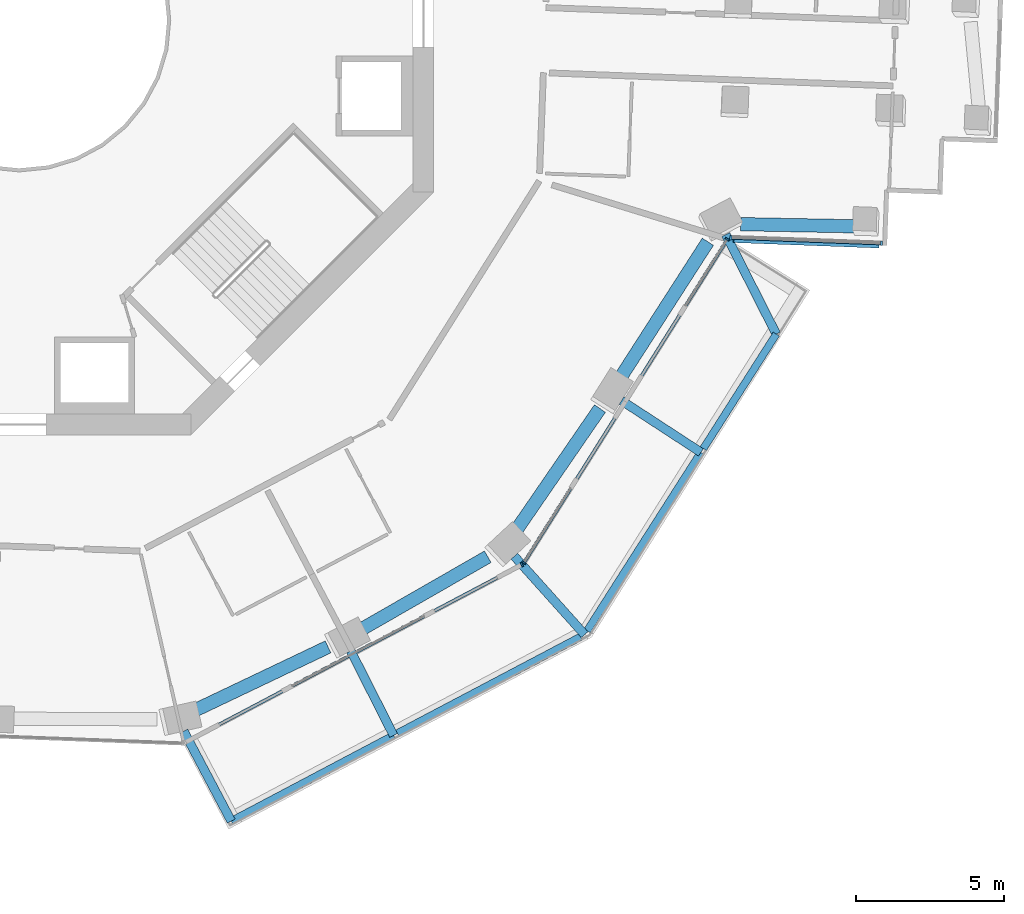
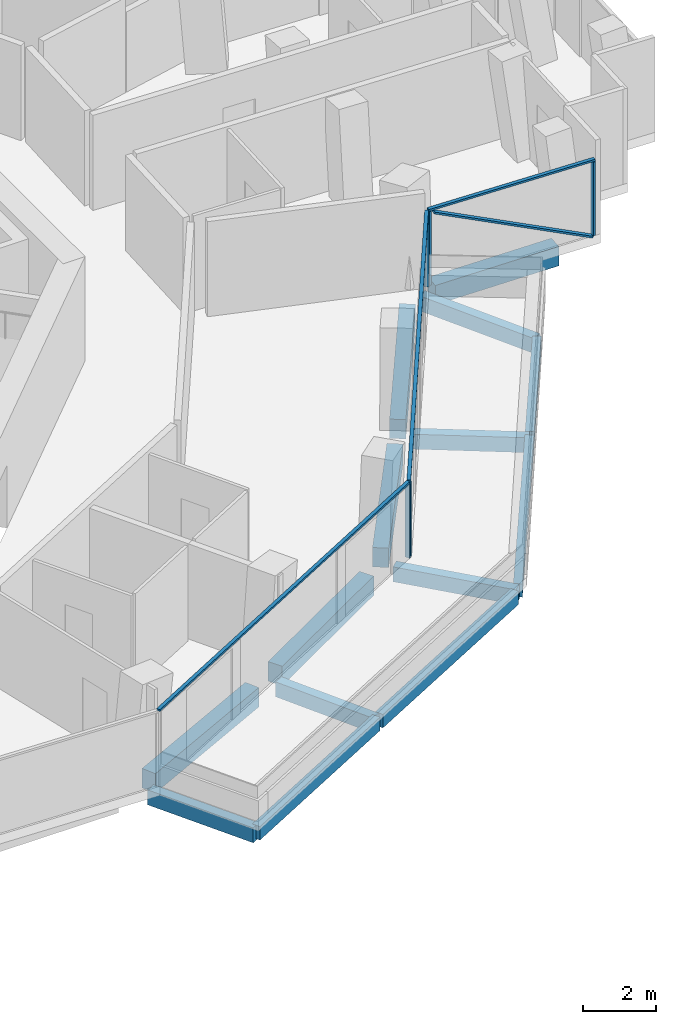
# One storey, part 5 of 23: 14 beams, 9 members, 3 elements without a shape of their own.
"""IFC4 building model written with IfcOpenShell, lengths in metres."""

import ifcopenshell
import ifcopenshell.guid

model = None  # the IFC model being written
_history = None  # IfcOwnerHistory: only IFC2X3 demands one
_inside = {}  # id of a spatial element -> (the spatial element, [elements in it])
_under = {}  # id of a project, library or spatial element -> (it, [spatial elements below it])
_declared = {}  # id of a project -> (the project, [libraries it declares])
_typed = {}  # id of a type object -> (the type object, [elements of that type])
_made_of = {}  # id of a material, layer set ... -> (it, [elements and type objects made of it])


def new_model(schema):
    """Start an empty IFC model of exactly this schema.

    Asked for "IFC4X3", IfcOpenShell would pick the latest addendum, in which some entities
    have other attributes; the version numbers below select the first issue.
    IFC2X3 requires an IfcOwnerHistory on every rooted entity: one is made here for all.
    """
    global model, _history
    if schema == "IFC4X3":
        model = ifcopenshell.file(schema_version=(4, 3, 0, 0))
    else:
        model = ifcopenshell.file(schema=schema)
    _inside.clear()
    _under.clear()
    _declared.clear()
    _typed.clear()
    _made_of.clear()
    _history = None
    if model.schema == "IFC2X3":
        org = make("IfcOrganization", Name="unknown")
        user = make(
            "IfcPersonAndOrganization",
            ThePerson=make("IfcPerson", FamilyName="unknown"),
            TheOrganization=org,
        )
        app = make(
            "IfcApplication",
            ApplicationDeveloper=org,
            Version="unknown",
            ApplicationFullName="unknown",
            ApplicationIdentifier="unknown",
        )
        _history = make(
            "IfcOwnerHistory",
            OwningUser=user,
            OwningApplication=app,
            ChangeAction="ADDED",
            CreationDate=0,
        )
    return model


def make(cls, **values):
    """One entity of the class cls with the attributes given. An attribute that is None is left unset."""
    return model.create_entity(
        cls, **{name: value for name, value in values.items() if value is not None}
    )


def rooted(cls, **values):
    """An entity with a GlobalId (a new one), such as an element, a storey or a relation."""
    return make(cls, GlobalId=ifcopenshell.guid.new(), OwnerHistory=_history, **values)


def si_unit(unit_type, name, prefix=None):
    """IfcSIUnit, for example si_unit("LENGTHUNIT", "METRE", prefix="MILLI")."""
    return make("IfcSIUnit", UnitType=unit_type, Prefix=prefix, Name=name)


def assignment(units):
    """IfcUnitAssignment: the units of a project."""
    return None if units is None else make("IfcUnitAssignment", Units=units)


def point(xyz):
    """IfcCartesianPoint."""
    return None if xyz is None else make("IfcCartesianPoint", Coordinates=xyz)


def direction(xyz):
    """IfcDirection."""
    return None if xyz is None else make("IfcDirection", DirectionRatios=xyz)


def frame(location, z_axis=None, x_axis=None):
    """IfcAxis2Placement3D, a coordinate frame: its origin and axes. An axis left out is left unset."""
    return make(
        "IfcAxis2Placement3D",
        Location=point(location),
        Axis=direction(z_axis),
        RefDirection=direction(x_axis),
    )


def frame_2d(location, x_axis=None):
    """IfcAxis2Placement2D, a coordinate frame in the plane: its origin and x axis."""
    return make(
        "IfcAxis2Placement2D", Location=point(location), RefDirection=direction(x_axis)
    )


def origin():
    """The frame at (0, 0, 0) with its axes left unset."""
    return frame((0.0, 0.0, 0.0))


def origin_2d():
    """The frame at (0, 0) in the plane with its x axis left unset."""
    return frame_2d((0.0, 0.0))


def place(relative_to, where):
    """IfcLocalPlacement: puts the frame where relative to a parent placement (None: the world)."""
    return make(
        "IfcLocalPlacement", PlacementRelTo=relative_to, RelativePlacement=where
    )


def context(
    kind, dimensions, precision=None, world=None, true_north=None, identifier=None
):
    """IfcGeometricRepresentationContext, for example the 3D "Model" context."""
    return make(
        "IfcGeometricRepresentationContext",
        ContextIdentifier=identifier,
        ContextType=kind,
        CoordinateSpaceDimension=dimensions,
        Precision=precision,
        WorldCoordinateSystem=world,
        TrueNorth=true_north,
    )


def subcontext(parent, identifier, kind, view, scale=None):
    """IfcGeometricRepresentationSubContext, for example "Body" below "Model"."""
    return make(
        "IfcGeometricRepresentationSubContext",
        ContextIdentifier=identifier,
        ContextType=kind,
        ParentContext=parent,
        TargetScale=scale,
        TargetView=view,
    )


def project(units=None, contexts=None):
    """IfcProject with its units and contexts."""
    return rooted(
        "IfcProject",
        Name="project",
        RepresentationContexts=contexts,
        UnitsInContext=assignment(units),
    )


def spatial(cls, under=None, at=None, **own):
    """A site, building, storey or space (cls), placed at a placement, below another one or the project."""
    s = rooted(cls, ObjectPlacement=at, **own)
    if under is not None:
        _under.setdefault(under.id(), (under, []))[1].append(s)
    return s


def profile(cls, at=None, kind="AREA", **sizes):
    """A parametric profile (cls). Its sizes go by their IFC names, for example OverallWidth=200.0."""
    return make(cls, ProfileType=kind, Position=at, **sizes)


def rectangle(**sizes):
    """IfcRectangleProfileDef."""
    return profile("IfcRectangleProfileDef", **sizes)


def extrude(swept, where, along, depth):
    """IfcExtrudedAreaSolid: the profile swept, set in the frame where, extruded along a direction by depth."""
    return make(
        "IfcExtrudedAreaSolid",
        SweptArea=swept,
        Position=where,
        ExtrudedDirection=direction(along),
        Depth=depth,
    )


def shape(context_of_items, identifier, shape_type, items):
    """IfcShapeRepresentation: the items that make up one representation, for example the "Body"."""
    return make(
        "IfcShapeRepresentation",
        ContextOfItems=context_of_items,
        RepresentationIdentifier=identifier,
        RepresentationType=shape_type,
        Items=items,
    )


def material(Name=None, Category=None):
    """IfcMaterial."""
    return make("IfcMaterial", Name=Name, Category=Category)


def layer(
    of_material, thickness, ventilated=None, Name=None, Category=None, Priority=None
):
    """IfcMaterialLayer: one layer of a wall or slab, of a material (None: an air gap)."""
    return make(
        "IfcMaterialLayer",
        Material=of_material,
        LayerThickness=thickness,
        IsVentilated=ventilated,
        Name=Name,
        Category=Category,
        Priority=Priority,
    )


def layer_set(layers, Name=None):
    """IfcMaterialLayerSet."""
    return make("IfcMaterialLayerSet", MaterialLayers=layers, LayerSetName=Name)


def material_profile(
    of_material, cross_section, Name=None, Category=None, Priority=None
):
    """IfcMaterialProfile: a cross section and its material."""
    return make(
        "IfcMaterialProfile",
        Name=Name,
        Material=of_material,
        Profile=cross_section,
        Priority=Priority,
        Category=Category,
    )


def profile_set(profiles, Name=None, composite=None):
    """IfcMaterialProfileSet."""
    return make(
        "IfcMaterialProfileSet",
        Name=Name,
        MaterialProfiles=profiles,
        CompositeProfile=composite,
    )


def made_of(thing, what):
    """Note that an element or type object is made of a material, layer set ...; save() writes the relation."""
    if what is not None:
        _made_of.setdefault(what.id(), (what, []))[1].append(thing)
    return thing


def type_object(cls, material=None, **own):
    """A type object (cls), such as IfcWallType, which elements share."""
    return made_of(rooted(cls, **own), material)


def element(
    cls,
    number,
    at=None,
    inside=None,
    cuts=None,
    type_object=None,
    material=None,
    context=None,
    identifier="Body",
    shape_type=None,
    held_by="IfcProductDefinitionShape",
    body=None,
    shapes=None,
    **own,
):
    """One element of the class cls, such as IfcWall. Its Tag is "e" and its number.

    at: its placement. inside: the storey or other place that contains it. cuts: it is an
    opening in that element (IfcRelVoidsElement). A single representation is given by context,
    identifier, shape_type and body (its items); several are given by shapes. held_by: the class
    of the entity that holds the representations. save() writes the other relations.
    """
    e = rooted(cls, Tag="e%d" % number, ObjectPlacement=at, **own)
    if body is not None:
        shapes = [shape(context, identifier, shape_type, body)]
    if shapes is not None:
        e.Representation = make(held_by, Representations=shapes)
    if inside is not None:
        _inside.setdefault(inside.id(), (inside, []))[1].append(e)
    if cuts is not None:
        rooted(
            "IfcRelVoidsElement", RelatingBuildingElement=cuts, RelatedOpeningElement=e
        )
    if type_object is not None:
        _typed.setdefault(type_object.id(), (type_object, []))[1].append(e)
    return made_of(e, material)


def aggregate(whole, parts):
    """IfcRelAggregates: a whole, such as a stair, and the parts it consists of."""
    return rooted("IfcRelAggregates", RelatingObject=whole, RelatedObjects=parts)


def save(model, path):
    """Write the relations noted so far, then the file.

    IfcRelAggregates (storeys below a building ...), IfcRelContainedInSpatialStructure (elements
    in a storey), IfcRelDefinesByType, IfcRelAssociatesMaterial and IfcRelDeclares: one each for
    every whole, place, type object, material and project.
    """
    for whole, parts in _under.values():
        aggregate(whole, parts)
    for where, things in _inside.values():
        rooted(
            "IfcRelContainedInSpatialStructure",
            RelatedElements=things,
            RelatingStructure=where,
        )
    for kind, things in _typed.values():
        rooted("IfcRelDefinesByType", RelatedObjects=things, RelatingType=kind)
    for what, things in _made_of.values():
        rooted("IfcRelAssociatesMaterial", RelatedObjects=things, RelatingMaterial=what)
    for by, libraries in _declared.values():
        rooted("IfcRelDeclares", RelatingContext=by, RelatedDefinitions=libraries)
    model.write(path)


model = new_model("IFC4")

# Units and contexts
model_context = context("Model", 3, precision=1e-05, world=origin(), true_north=direction((0.0, 1.0)))
body_context = subcontext(model_context, "Body", "Model", "MODEL_VIEW")
ifc_project = project(units=[si_unit("LENGTHUNIT", "METRE"), si_unit("AREAUNIT", "SQUARE_METRE"), si_unit("VOLUMEUNIT", "CUBIC_METRE"), si_unit("PLANEANGLEUNIT", "RADIAN"), si_unit("MASSUNIT", "GRAM", prefix="KILO")], contexts=[model_context])

# Site, building, storey
site_placement = place(None, origin())
site = spatial("IfcSite", under=ifc_project, at=site_placement, CompositionType="ELEMENT")
building_placement = place(site_placement, origin())
building = spatial("IfcBuilding", under=site, at=building_placement, Name="Verdalira Terraces Hotel", CompositionType="ELEMENT")
storey_placement = place(building_placement, frame((0.0, 0.0, 147.0)))
storey = spatial("IfcBuildingStorey", under=building, at=storey_placement, Name="L35", CompositionType="ELEMENT", Elevation=147.0)

# Beams
ifc_material_1 = material(Name="Concrete C40", Category="concrete")
ifc_material_profile_1 = material_profile(ifc_material_1, rectangle(XDim=0.300049, YDim=0.5, at=origin_2d()), Name="RC 300X500")
ifc_profile_set_1 = profile_set([ifc_material_profile_1], Name="Concrete C40")
beam_type_1 = type_object("IfcBeamType", Name="Balcony cantilever beam RC 300X500 C40", PredefinedType="BEAM", material=ifc_profile_set_1)
beam_1_placement = place(storey_placement, frame((5.559814, -24.009277, -0.560059), z_axis=(0.466995094, -0.884259906, 0.0), x_axis=(0.884259906, 0.466995094, 0.0)))
element("IfcBeam", 1, at=beam_1_placement, inside=storey, type_object=beam_type_1, Name="Balcony cantilever beam R26-1", PredefinedType="BEAM", context=body_context, shape_type="SweptSolid", body=[
    extrude(rectangle(XDim=0.300049, YDim=0.5, at=origin_2d()), origin(), (0.0, 0.0, 1.0), 3.431641),
])
beam_2_placement = place(storey_placement, frame((11.19751, -21.293213, -0.560059), z_axis=(0.45214929, -0.891942274, 0.0), x_axis=(0.891942274, 0.45214929, 0.0)))
element("IfcBeam", 2, at=beam_2_placement, inside=storey, type_object=beam_type_1, Name="Balcony cantilever beam R26-2", PredefinedType="BEAM", context=body_context, shape_type="SweptSolid", body=[
    extrude(rectangle(XDim=0.300049, YDim=0.5, at=origin_2d()), origin(), (0.0, 0.0, 1.0), 3.200928),
])
beam_3_placement = place(storey_placement, frame((16.723877, -18.098633, -0.560059), z_axis=(0.667583071, -0.74453532, 0.0), x_axis=(0.74453532, 0.667583071, 0.0)))
element("IfcBeam", 3, at=beam_3_placement, inside=storey, type_object=beam_type_1, Name="Balcony cantilever beam R26-3", PredefinedType="BEAM", context=body_context, shape_type="SweptSolid", body=[
    extrude(rectangle(XDim=0.300049, YDim=0.5, at=origin_2d()), origin(), (0.0, 0.0, 1.0), 3.556396),
])
beam_4_placement = place(storey_placement, frame((20.343994, -12.841797, -0.560059), z_axis=(0.837524099, -0.546400387, 0.0), x_axis=(0.546400387, 0.837524099, 0.0)))
element("IfcBeam", 4, at=beam_4_placement, inside=storey, type_object=beam_type_1, Name="Balcony cantilever beam R26-4", PredefinedType="BEAM", context=body_context, shape_type="SweptSolid", body=[
    extrude(rectangle(XDim=0.300049, YDim=0.5, at=origin_2d()), origin(), (0.0, 0.0, 1.0), 3.200928),
])
beam_5_placement = place(storey_placement, frame((23.865479, -7.233398, -0.560059), z_axis=(0.452154418, -0.891939674, 0.0), x_axis=(0.891939674, 0.452154418, 0.0)))
element("IfcBeam", 5, at=beam_5_placement, inside=storey, type_object=beam_type_1, Name="Balcony cantilever beam R26-5", PredefinedType="BEAM", context=body_context, shape_type="SweptSolid", body=[
    extrude(rectangle(XDim=0.300049, YDim=0.5, at=origin_2d()), origin(), (0.0, 0.0, 1.0), 3.77002),
])
ifc_material_2 = material(Name="Concrete C40", Category="concrete")
ifc_material_profile_2 = material_profile(ifc_material_2, rectangle(XDim=0.25, YDim=0.449951, at=origin_2d()), Name="RC 250X450")
ifc_profile_set_2 = profile_set([ifc_material_profile_2], Name="Concrete C40")
beam_type_2 = type_object("IfcBeamType", Name="Balcony edge beam RC 250X450 C40", PredefinedType="BEAM", material=ifc_profile_set_2)
beam_6_placement = place(storey_placement, frame((7.162354, -27.043701, -0.534912), z_axis=(0.884251068, 0.46701183, 0.0), x_axis=(-0.46701183, 0.884251068, 0.0)))
element("IfcBeam", 6, at=beam_6_placement, inside=storey, type_object=beam_type_2, Name="Balcony edge beam R26-1", PredefinedType="BEAM", context=body_context, shape_type="SweptSolid", body=[
    extrude(rectangle(XDim=0.25, YDim=0.449951, at=origin_2d()), origin(), (0.0, 0.0, 1.0), 6.200195),
])
beam_7_placement = place(storey_placement, frame((12.777344, -24.078369, -0.534912), z_axis=(0.884630922, 0.466291896, 0.0), x_axis=(-0.466291896, 0.884630922, 0.0)))
element("IfcBeam", 7, at=beam_7_placement, inside=storey, type_object=beam_type_2, Name="Balcony edge beam R26-2", PredefinedType="BEAM", context=body_context, shape_type="SweptSolid", body=[
    extrude(rectangle(XDim=0.25, YDim=0.449951, at=origin_2d()), origin(), (0.0, 0.0, 1.0), 6.990234),
])
beam_8_placement = place(storey_placement, frame((19.181885, -20.615479, -0.534912), z_axis=(0.537785969, 0.843081403, 0.0), x_axis=(-0.843081403, 0.537785969, 0.0)))
element("IfcBeam", 8, at=beam_8_placement, inside=storey, type_object=beam_type_2, Name="Balcony edge beam R26-3", PredefinedType="BEAM", context=body_context, shape_type="SweptSolid", body=[
    extrude(rectangle(XDim=0.25, YDim=0.449951, at=origin_2d()), origin(), (0.0, 0.0, 1.0), 7.145996),
])
beam_9_placement = place(storey_placement, frame((23.105469, -14.464111, -0.534912), z_axis=(0.537347268, 0.843361081, 0.0), x_axis=(-0.843361081, 0.537347268, 0.0)))
element("IfcBeam", 9, at=beam_9_placement, inside=storey, type_object=beam_type_2, Name="Balcony edge beam R26-4", PredefinedType="BEAM", context=body_context, shape_type="SweptSolid", body=[
    extrude(rectangle(XDim=0.25, YDim=0.449951, at=origin_2d()), origin(), (0.0, 0.0, 1.0), 4.58667),
])

# Curtain wall, member
ifc_material_3 = material(Name="Clear glass", Category="glass")
ifc_layer_1 = layer(ifc_material_3, 0.14990234375)
ifc_layer_set_1 = layer_set([ifc_layer_1], Name="CW1 curtain wall")
curtain_wall_type_1 = type_object("IfcCurtainWallType", Name="CW1 curtain wall", PredefinedType="NOTDEFINED", material=ifc_layer_set_1)
curtain_wall_1_placement = place(storey_placement, origin())
curtain_wall_1 = element("IfcCurtainWall", 10, at=curtain_wall_1_placement, inside=storey, type_object=curtain_wall_type_1, Name="CW1 curtain wall L35 edge 26", PredefinedType="NOTDEFINED")
ifc_material_4 = material(Name="Terracotta frame", Category="masonry")
ifc_material_profile_3 = material_profile(ifc_material_4, rectangle(XDim=0.060059, YDim=0.149902, at=origin_2d()), Name="MU 60x150")
ifc_profile_set_3 = profile_set([ifc_material_profile_3], Name="Terracotta frame")
member_type_1 = type_object("IfcMemberType", Name="CW1 mullion 60x150", PredefinedType="MULLION", material=ifc_profile_set_3)
member_1_placement = place(storey_placement, frame((16.979248, -18.381592, 0.0), z_axis=(0.0, 0.0, 1.0), x_axis=(0.88425516, 0.467004081, 0.0)))
member_1 = element("IfcMember", 11, at=member_1_placement, type_object=member_type_1, Name="CW1 mullion", PredefinedType="MULLION", context=body_context, shape_type="SweptSolid", body=[
    extrude(rectangle(XDim=0.060059, YDim=0.149902, at=origin_2d()), origin(), (0.0, 0.0, 1.0), 2.475098),
])

# Curtain wall, members
curtain_wall_2_placement = place(storey_placement, origin())
curtain_wall_2 = element("IfcCurtainWall", 12, at=curtain_wall_2_placement, inside=storey, type_object=curtain_wall_type_1, Name="CW1 curtain wall L35 edge 27", PredefinedType="NOTDEFINED")
member_2_placement = place(storey_placement, frame((17.050293, -18.315674, 0.0), z_axis=(0.0, 0.0, 1.0), x_axis=(0.532285392, 0.846564978, 0.0)))
member_2 = element("IfcMember", 13, at=member_2_placement, type_object=member_type_1, Name="CW1 mullion", PredefinedType="MULLION", context=body_context, shape_type="SweptSolid", body=[
    extrude(rectangle(XDim=0.060059, YDim=0.149902, at=origin_2d()), origin(), (0.0, 0.0, 1.0), 2.475098),
])
member_3_placement = place(storey_placement, frame((23.916748, -7.395264, 0.0), z_axis=(0.0, 0.0, 1.0), x_axis=(0.532285392, 0.846564978, 0.0)))
member_3 = element("IfcMember", 14, at=member_3_placement, type_object=member_type_1, Name="CW1 mullion", PredefinedType="MULLION", context=body_context, shape_type="SweptSolid", body=[
    extrude(rectangle(XDim=0.060059, YDim=0.149902, at=origin_2d()), origin(), (0.0, 0.0, 1.0), 2.475098),
])

# Member
ifc_material_5 = material(Name="Terracotta frame", Category="masonry")
ifc_material_profile_4 = material_profile(ifc_material_5, rectangle(XDim=0.110107, YDim=0.064941, at=origin_2d()), Name="TR 65x110")
ifc_profile_set_4 = profile_set([ifc_material_profile_4], Name="Terracotta frame")
member_type_2 = type_object("IfcMemberType", Name="CW1 transom 65x110", PredefinedType="USERDEFINED", material=ifc_profile_set_4)
member_4_placement = place(storey_placement, frame((5.581543, -24.400879, 2.507568), z_axis=(0.884258612, 0.466997544, 0.0), x_axis=(-0.466997544, 0.884258612, 0.0)))
member_4 = element("IfcMember", 15, at=member_4_placement, type_object=member_type_2, Name="CW1 transom", ObjectType="TRANSOM", PredefinedType="USERDEFINED", context=body_context, shape_type="SweptSolid", body=[
    extrude(rectangle(XDim=0.110107, YDim=0.064941, at=origin_2d()), origin(), (0.0, 0.0, 1.0), 12.919678),
])

aggregate(curtain_wall_1, [member_1, member_4])

member_5_placement = place(storey_placement, frame((17.03418, -18.341064, 2.507568), z_axis=(0.532296541, 0.846557968, 0.0), x_axis=(-0.846557968, 0.532296541, 0.0)))
member_5 = element("IfcMember", 16, at=member_5_placement, type_object=member_type_2, Name="CW1 transom", ObjectType="TRANSOM", PredefinedType="USERDEFINED", context=body_context, shape_type="SweptSolid", body=[
    extrude(rectangle(XDim=0.110107, YDim=0.064941, at=origin_2d()), origin(), (0.0, 0.0, 1.0), 12.959717),
])

aggregate(curtain_wall_2, [member_2, member_3, member_5])

# Curtain wall, members
ifc_material_6 = material(Name="Clear glass", Category="glass")
ifc_layer_2 = layer(ifc_material_6, 0.14990234375)
ifc_layer_set_2 = layer_set([ifc_layer_2], Name="CW2 curtain wall")
curtain_wall_type_2 = type_object("IfcCurtainWallType", Name="CW2 curtain wall", PredefinedType="NOTDEFINED", material=ifc_layer_set_2)
curtain_wall_3_placement = place(storey_placement, origin())
curtain_wall_3 = element("IfcCurtainWall", 17, at=curtain_wall_3_placement, inside=storey, type_object=curtain_wall_type_2, Name="CW2 curtain wall L35 edge 28", PredefinedType="NOTDEFINED")
ifc_material_7 = material(Name="Terracotta frame", Category="masonry")
ifc_material_profile_5 = material_profile(ifc_material_7, rectangle(XDim=0.070068, YDim=0.149902, at=origin_2d()), Name="MU 70x150")
ifc_profile_set_5 = profile_set([ifc_material_profile_5], Name="Terracotta frame")
member_type_3 = type_object("IfcMemberType", Name="CW2 mullion 70x150", PredefinedType="MULLION", material=ifc_profile_set_5)
member_6_placement = place(storey_placement, frame((24.033936, -7.335938, 0.0), z_axis=(0.0, 0.0, 1.0), x_axis=(0.999289473, -0.037690183, 0.0)))
member_6 = element("IfcMember", 18, at=member_6_placement, type_object=member_type_3, Name="CW2 mullion", PredefinedType="MULLION", context=body_context, shape_type="SweptSolid", body=[
    extrude(rectangle(XDim=0.070068, YDim=0.149902, at=origin_2d()), origin(), (0.0, 0.0, 1.0), 2.475098),
])
member_7_placement = place(storey_placement, frame((29.127441, -7.528076, 0.0), z_axis=(0.0, 0.0, 1.0), x_axis=(0.999289473, -0.037690183, 0.0)))
member_7 = element("IfcMember", 19, at=member_7_placement, type_object=member_type_3, Name="CW2 mullion", PredefinedType="MULLION", context=body_context, shape_type="SweptSolid", body=[
    extrude(rectangle(XDim=0.070068, YDim=0.149902, at=origin_2d()), origin(), (0.0, 0.0, 1.0), 2.475098),
])
ifc_material_8 = material(Name="Terracotta frame", Category="masonry")
ifc_material_profile_6 = material_profile(ifc_material_8, rectangle(XDim=0.11499, YDim=0.064941, at=origin_2d()), Name="TR 65x115")
ifc_profile_set_6 = profile_set([ifc_material_profile_6], Name="Terracotta frame")
member_type_4 = type_object("IfcMemberType", Name="CW2 transom 65x115", PredefinedType="USERDEFINED", material=ifc_profile_set_6)
member_8_placement = place(storey_placement, frame((23.999023, -7.334717, 2.507568), z_axis=(0.999288897, -0.037705449, 0.0), x_axis=(0.037705449, 0.999288897, 0.0)))
member_8 = element("IfcMember", 20, at=member_8_placement, type_object=member_type_4, Name="CW2 transom", ObjectType="TRANSOM", PredefinedType="USERDEFINED", context=body_context, shape_type="SweptSolid", body=[
    extrude(rectangle(XDim=0.11499, YDim=0.064941, at=origin_2d()), origin(), (0.0, 0.0, 1.0), 5.166992),
])
ifc_material_9 = material(Name="Terracotta frame", Category="masonry")
ifc_material_profile_7 = material_profile(ifc_material_9, rectangle(XDim=0.149902, YDim=0.060059, at=origin_2d()), Name="GB 60x150")
ifc_profile_set_7 = profile_set([ifc_material_profile_7], Name="Terracotta frame")
member_type_5 = type_object("IfcMemberType", Name="Diagonal glazing bar 60x150", PredefinedType="USERDEFINED", material=ifc_profile_set_7)
member_9_placement = place(storey_placement, frame((24.121826, -7.43042, 2.447266), z_axis=(0.896529429, -0.033828776, -0.441690611), x_axis=(0.037706202, 0.999288868, 0.0)))
member_9 = element("IfcMember", 21, at=member_9_placement, type_object=member_type_5, Name="Diagonal glazing bar", ObjectType="GLAZING BAR", PredefinedType="USERDEFINED", context=body_context, shape_type="SweptSolid", body=[
    extrude(rectangle(XDim=0.149902, YDim=0.060059, at=origin_2d()), origin(), (0.0, 0.0, 1.0), 5.477783),
])
aggregate(curtain_wall_3, [member_6, member_7, member_8, member_9])

# Beams
ifc_material_10 = material(Name="Concrete C50", Category="concrete")
ifc_material_profile_8 = material_profile(ifc_material_10, rectangle(XDim=0.449951, YDim=0.649902, at=origin_2d()), Name="RC 450X650")
ifc_profile_set_8 = profile_set([ifc_material_profile_8], Name="Concrete C50")
beam_type_3 = type_object("IfcBeamType", Name="Spandrel beam RC 450X650 C50", PredefinedType="SPANDREL", material=ifc_profile_set_8)
beam_10_placement = place(storey_placement, frame((5.904541, -23.317627, -0.63501), z_axis=(0.902802027, 0.430056392, 0.0), x_axis=(-0.430056392, 0.902802027, 0.0)))
element("IfcBeam", 22, at=beam_10_placement, inside=storey, type_object=beam_type_3, Name="Spandrel beam B11", PredefinedType="SPANDREL", context=body_context, shape_type="SweptSolid", body=[
    extrude(rectangle(XDim=0.449951, YDim=0.649902, at=origin_2d()), origin(), (0.0, 0.0, 1.0), 5.015625),
])
beam_11_placement = place(storey_placement, frame((11.479736, -20.611084, -0.63501), z_axis=(0.867240244, 0.497889906, 0.0), x_axis=(-0.497889906, 0.867240244, 0.0)))
element("IfcBeam", 23, at=beam_11_placement, inside=storey, type_object=beam_type_3, Name="Spandrel beam B12", PredefinedType="SPANDREL", context=body_context, shape_type="SweptSolid", body=[
    extrude(rectangle(XDim=0.449951, YDim=0.649902, at=origin_2d()), origin(), (0.0, 0.0, 1.0), 5.012451),
])
beam_12_placement = place(storey_placement, frame((16.772217, -17.241455, -0.63501), z_axis=(0.566851059, 0.823820294, 0.0), x_axis=(-0.823820294, 0.566851059, 0.0)))
element("IfcBeam", 24, at=beam_12_placement, inside=storey, type_object=beam_type_3, Name="Spandrel beam B13", PredefinedType="SPANDREL", context=body_context, shape_type="SweptSolid", body=[
    extrude(rectangle(XDim=0.449951, YDim=0.649902, at=origin_2d()), origin(), (0.0, 0.0, 1.0), 5.015381),
])
beam_13_placement = place(storey_placement, frame((20.26001, -12.140869, -0.63501), z_axis=(0.5409801, 0.841035393, 0.0), x_axis=(-0.841035393, 0.5409801, 0.0)))
element("IfcBeam", 25, at=beam_13_placement, inside=storey, type_object=beam_type_3, Name="Spandrel beam B14", PredefinedType="SPANDREL", context=body_context, shape_type="SweptSolid", body=[
    extrude(rectangle(XDim=0.449951, YDim=0.649902, at=origin_2d()), origin(), (0.0, 0.0, 1.0), 5.544922),
])
beam_14_placement = place(storey_placement, frame((24.370117, -6.882568, -0.63501), z_axis=(0.99981985, -0.018980739, 0.0), x_axis=(0.018980739, 0.99981985, 0.0)))
element("IfcBeam", 26, at=beam_14_placement, inside=storey, type_object=beam_type_3, Name="Spandrel beam B15", PredefinedType="SPANDREL", context=body_context, shape_type="SweptSolid", body=[
    extrude(rectangle(XDim=0.449951, YDim=0.649902, at=origin_2d()), origin(), (0.0, 0.0, 1.0), 3.884521),
])

save(model, "model.ifc")
